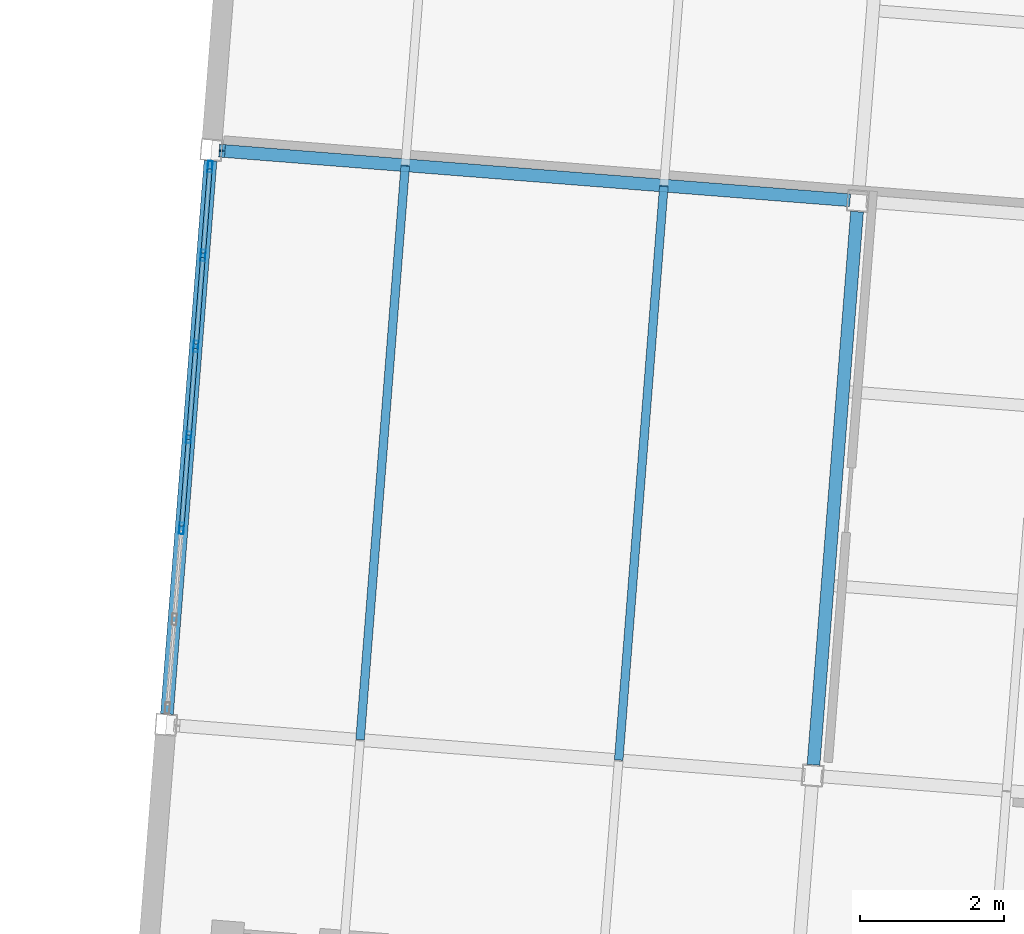
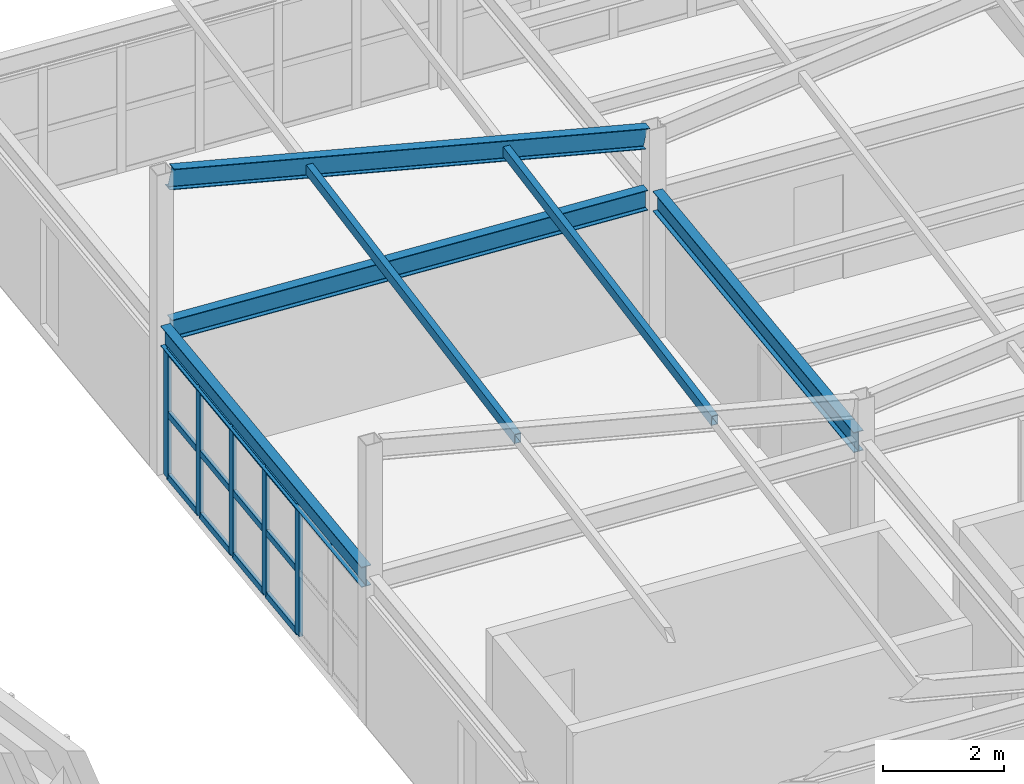
# One storey, part 44 of 127: 19 members, 4 beams, 1 element without a shape of its own.
"""IFC4 building model written with IfcOpenShell, lengths in metres."""

from ifc_helpers import new_model, si_unit, direction, frame, origin, origin_2d, place, context, subcontext, project, spatial, hollow_rectangle, i_section, extrude, material, material_profile, profile_set, type_object, element, aggregate, save


model = new_model("IFC4")

# Units and contexts
model_context = context("Model", 3, precision=1e-05, world=origin(), true_north=direction((0.0, 1.0)))
body_context = subcontext(model_context, "Body", "Model", "MODEL_VIEW")
ifc_project = project(units=[si_unit("LENGTHUNIT", "METRE"), si_unit("AREAUNIT", "SQUARE_METRE"), si_unit("VOLUMEUNIT", "CUBIC_METRE"), si_unit("PLANEANGLEUNIT", "RADIAN"), si_unit("MASSUNIT", "GRAM", prefix="KILO")], contexts=[model_context])

# Site, building, storey
site_placement = place(None, origin())
site = spatial("IfcSite", under=ifc_project, at=site_placement, CompositionType="ELEMENT")
building_placement = place(site_placement, origin())
building = spatial("IfcBuilding", under=site, at=building_placement, Name="Kestramere Prow Commons", CompositionType="ELEMENT")
storey_placement = place(building_placement, frame((0.0, 0.0, 8.39990234375)))
storey = spatial("IfcBuildingStorey", under=building, at=storey_placement, Name="L02", CompositionType="ELEMENT", Elevation=8.39990234375)

# Beams
ifc_material_1 = material(Name="Steel S355JR", Category="steel")
ifc_material_profile_1 = material_profile(ifc_material_1, i_section(OverallWidth=0.177978515625, OverallDepth=0.406494140625, WebThickness=0.0078125, FlangeThickness=0.0126953125, FilletRadius=0.01025390625, at=origin_2d()), Name="UB 406x178x60")
ifc_profile_set_1 = profile_set([ifc_material_profile_1], Name="Steel S355JR")
beam_type_1 = type_object("IfcBeamType", Name="BM-NR-01 UB 406x178x60", PredefinedType="BEAM", material=ifc_profile_set_1)
beam_1_placement = place(storey_placement, frame((70.0048828125, 101.43896484375, 2.796875), z_axis=(0.996917066238, -0.078462494502, 0.0), x_axis=(0.078462494502, 0.996917066238, 0.0)))
element("IfcBeam", 1, at=beam_1_placement, inside=storey, type_object=beam_type_1, Name="Nursery L02 Beam U 3-1", PredefinedType="BEAM", context=body_context, shape_type="SweptSolid", body=[
    extrude(i_section(OverallWidth=0.177978515625, OverallDepth=0.406494140625, WebThickness=0.0078125, FlangeThickness=0.0126953125, FilletRadius=0.01025390625, at=origin_2d()), origin(), (0.0, 0.0, 1.0), 8.699951171875),
])
beam_2_placement = place(storey_placement, frame((78.211669921875, 92.918701171875, 2.796875), z_axis=(0.078473620365, 0.996916190513, 0.0), x_axis=(-0.996916190513, 0.078473620365, 0.0)))
element("IfcBeam", 2, at=beam_2_placement, inside=storey, type_object=beam_type_1, Name="Nursery L02 Beam V 2-2", PredefinedType="BEAM", context=body_context, shape_type="SweptSolid", body=[
    extrude(i_section(OverallWidth=0.177978515625, OverallDepth=0.406494140625, WebThickness=0.0078125, FlangeThickness=0.0126953125, FilletRadius=0.01025390625, at=origin_2d()), origin(), (0.0, 0.0, 1.0), 7.699951171875),
])
beam_3_placement = place(storey_placement, frame((70.0048828125, 101.43896484375, 5.83349609375), z_axis=(0.976239954943, -0.076835099621, -0.20261272872), x_axis=(0.078462494502, 0.996917066238, 0.0)))
element("IfcBeam", 3, at=beam_3_placement, inside=storey, type_object=beam_type_1, Name="Nursery Butterfly Rafter 3-1", PredefinedType="BEAM", context=body_context, shape_type="SweptSolid", body=[
    extrude(i_section(OverallWidth=0.177978515625, OverallDepth=0.406494140625, WebThickness=0.0078125, FlangeThickness=0.0126953125, FilletRadius=0.01025390625, at=origin_2d()), origin(), (0.0, 0.0, 1.0), 8.88427734375),
])
ifc_material_profile_2 = material_profile(ifc_material_1, i_section(OverallWidth=0.177978515625, OverallDepth=0.406494140625, WebThickness=0.0078125, FlangeThickness=0.0126953125, FilletRadius=0.01025390625, at=origin_2d()), Name="UB 406x178x60")
ifc_profile_set_2 = profile_set([ifc_material_profile_2], Name="Steel S355JR")
beam_type_2 = type_object("IfcBeamType", Name="BM-NR-01 UB 406x178x60 (EX)", PredefinedType="BEAM", material=ifc_profile_set_2)
beam_4_placement = place(storey_placement, frame((69.239501953125, 93.624755859375, 2.796875), z_axis=(0.078442108986, 0.996918670473, 0.0), x_axis=(-0.996918670473, 0.078442108986, 0.0)))
element("IfcBeam", 4, at=beam_4_placement, inside=storey, type_object=beam_type_2, Name="Nursery L02 Beam V 1-2", PredefinedType="BEAM", context=body_context, shape_type="SweptSolid", body=[
    extrude(i_section(OverallWidth=0.177978515625, OverallDepth=0.406494140625, WebThickness=0.0078125, FlangeThickness=0.0126953125, FilletRadius=0.01025390625, at=origin_2d()), origin(), (0.0, 0.0, 1.0), 7.699951171875),
])

# Curtain wall, members
ifc_material_2 = material(Name="Anodised Aluminium and Low-E Glass", Category="aluminium")
curtain_wall_type = type_object("IfcCurtainWallType", Name="CW-18 Glazed Curtain Wall 7600x2580", PredefinedType="USERDEFINED", material=ifc_material_2)
curtain_wall_placement = place(storey_placement, origin())
curtain_wall = element("IfcCurtainWall", 5, at=curtain_wall_placement, inside=storey, type_object=curtain_wall_type, Name="Nursery L02 W End Glazing", ObjectType="GLAZED CURTAIN WALL", PredefinedType="USERDEFINED")
ifc_material_3 = material(Name="Anodised Aluminium 6063-T6", Category="aluminium")
ifc_material_profile_3 = material_profile(ifc_material_3, hollow_rectangle(XDim=0.06494140625, YDim=0.159912109375, WallThickness=0.00390625, at=origin_2d()), Name="ALU-MUL 65x160")
ifc_profile_set_3 = profile_set([ifc_material_profile_3], Name="Anodised Aluminium 6063-T6")
member_type_1 = type_object("IfcMemberType", Name="CW-MUL-65x160", PredefinedType="MULLION", material=ifc_profile_set_3)
member_1_placement = place(storey_placement, frame((69.442138671875, 96.2001953125, 0.0), z_axis=(0.0, 0.0, 1.0), x_axis=(-0.996917335259, 0.078459076345, 0.0)))
member_1 = element("IfcMember", 6, at=member_1_placement, type_object=member_type_1, Name="CW-18 mullion 3", PredefinedType="MULLION", context=body_context, shape_type="SweptSolid", body=[
    extrude(hollow_rectangle(XDim=0.06494140625, YDim=0.159912109375, WallThickness=0.00390625, at=origin_2d()), origin(), (0.0, 0.0, 1.0), 2.580078125),
])
member_2_placement = place(storey_placement, frame((69.54150390625, 97.462890625, 0.0), z_axis=(0.0, 0.0, 1.0), x_axis=(-0.996917335259, 0.078459076345, 0.0)))
member_2 = element("IfcMember", 7, at=member_2_placement, type_object=member_type_1, Name="CW-18 mullion 4", PredefinedType="MULLION", context=body_context, shape_type="SweptSolid", body=[
    extrude(hollow_rectangle(XDim=0.06494140625, YDim=0.159912109375, WallThickness=0.00390625, at=origin_2d()), origin(), (0.0, 0.0, 1.0), 2.580078125),
])
member_3_placement = place(storey_placement, frame((69.640869140625, 98.725830078125, 0.0), z_axis=(0.0, 0.0, 1.0), x_axis=(-0.996917335259, 0.078459076345, 0.0)))
member_3 = element("IfcMember", 8, at=member_3_placement, type_object=member_type_1, Name="CW-18 mullion 5", PredefinedType="MULLION", context=body_context, shape_type="SweptSolid", body=[
    extrude(hollow_rectangle(XDim=0.06494140625, YDim=0.159912109375, WallThickness=0.00390625, at=origin_2d()), origin(), (0.0, 0.0, 1.0), 2.580078125),
])
member_4_placement = place(storey_placement, frame((69.740234375, 99.988525390625, 0.0), z_axis=(0.0, 0.0, 1.0), x_axis=(-0.996917335259, 0.078459076345, 0.0)))
member_4 = element("IfcMember", 9, at=member_4_placement, type_object=member_type_1, Name="CW-18 mullion 6", PredefinedType="MULLION", context=body_context, shape_type="SweptSolid", body=[
    extrude(hollow_rectangle(XDim=0.06494140625, YDim=0.159912109375, WallThickness=0.00390625, at=origin_2d()), origin(), (0.0, 0.0, 1.0), 2.580078125),
])
member_5_placement = place(storey_placement, frame((69.837158203125, 101.218994140625, 0.0), z_axis=(0.0, 0.0, 1.0), x_axis=(-0.996917335259, 0.078459076345, 0.0)))
member_5 = element("IfcMember", 10, at=member_5_placement, type_object=member_type_1, Name="CW-18 mullion 7", PredefinedType="MULLION", context=body_context, shape_type="SweptSolid", body=[
    extrude(hollow_rectangle(XDim=0.06494140625, YDim=0.159912109375, WallThickness=0.00390625, at=origin_2d()), origin(), (0.0, 0.0, 1.0), 2.580078125),
])
ifc_material_profile_4 = material_profile(ifc_material_3, hollow_rectangle(XDim=0.06494140625, YDim=0.1298828125, WallThickness=0.00390625, at=origin_2d()), Name="ALU-TRN 65x130")
ifc_profile_set_4 = profile_set([ifc_material_profile_4], Name="Anodised Aluminium 6063-T6")
member_type_2 = type_object("IfcMemberType", Name="CW-TRN-65x130", PredefinedType="USERDEFINED", material=ifc_profile_set_4)
member_6_placement = place(storey_placement, frame((69.444580078125, 96.232666015625, 0.03271484375), z_axis=(0.078622787299, 0.996904437405, 0.0), x_axis=(-0.996904437405, 0.078622787299, 0.0)))
member_6 = element("IfcMember", 11, at=member_6_placement, type_object=member_type_2, Name="CW-18 transom 3.1", ObjectType="TRANSOM", PredefinedType="USERDEFINED", context=body_context, shape_type="SweptSolid", body=[
    extrude(hollow_rectangle(XDim=0.06494140625, YDim=0.1298828125, WallThickness=0.00390625, at=origin_2d()), origin(), (0.0, 0.0, 1.0), 1.20166015625),
])
member_7_placement = place(storey_placement, frame((69.444580078125, 96.232666015625, 1.2900390625), z_axis=(0.078622787299, 0.996904437405, 0.0), x_axis=(-0.996904437405, 0.078622787299, 0.0)))
member_7 = element("IfcMember", 12, at=member_7_placement, type_object=member_type_2, Name="CW-18 transom 3.2", ObjectType="TRANSOM", PredefinedType="USERDEFINED", context=body_context, shape_type="SweptSolid", body=[
    extrude(hollow_rectangle(XDim=0.06494140625, YDim=0.1298828125, WallThickness=0.00390625, at=origin_2d()), origin(), (0.0, 0.0, 1.0), 1.20166015625),
])
member_8_placement = place(storey_placement, frame((69.444580078125, 96.232666015625, 2.547607421875), z_axis=(0.078622787299, 0.996904437405, 0.0), x_axis=(-0.996904437405, 0.078622787299, 0.0)))
member_8 = element("IfcMember", 13, at=member_8_placement, type_object=member_type_2, Name="CW-18 transom 3.3", ObjectType="TRANSOM", PredefinedType="USERDEFINED", context=body_context, shape_type="SweptSolid", body=[
    extrude(hollow_rectangle(XDim=0.06494140625, YDim=0.1298828125, WallThickness=0.00390625, at=origin_2d()), origin(), (0.0, 0.0, 1.0), 1.20166015625),
])
member_9_placement = place(storey_placement, frame((69.5439453125, 97.495361328125, 0.03271484375), z_axis=(0.078622787299, 0.996904437405, 0.0), x_axis=(-0.996904437405, 0.078622787299, 0.0)))
member_9 = element("IfcMember", 14, at=member_9_placement, type_object=member_type_2, Name="CW-18 transom 4.1", ObjectType="TRANSOM", PredefinedType="USERDEFINED", context=body_context, shape_type="SweptSolid", body=[
    extrude(hollow_rectangle(XDim=0.06494140625, YDim=0.1298828125, WallThickness=0.00390625, at=origin_2d()), origin(), (0.0, 0.0, 1.0), 1.20166015625),
])
member_10_placement = place(storey_placement, frame((69.5439453125, 97.495361328125, 1.2900390625), z_axis=(0.078622787299, 0.996904437405, 0.0), x_axis=(-0.996904437405, 0.078622787299, 0.0)))
member_10 = element("IfcMember", 15, at=member_10_placement, type_object=member_type_2, Name="CW-18 transom 4.2", ObjectType="TRANSOM", PredefinedType="USERDEFINED", context=body_context, shape_type="SweptSolid", body=[
    extrude(hollow_rectangle(XDim=0.06494140625, YDim=0.1298828125, WallThickness=0.00390625, at=origin_2d()), origin(), (0.0, 0.0, 1.0), 1.20166015625),
])
member_11_placement = place(storey_placement, frame((69.5439453125, 97.495361328125, 2.547607421875), z_axis=(0.078622787299, 0.996904437405, 0.0), x_axis=(-0.996904437405, 0.078622787299, 0.0)))
member_11 = element("IfcMember", 16, at=member_11_placement, type_object=member_type_2, Name="CW-18 transom 4.3", ObjectType="TRANSOM", PredefinedType="USERDEFINED", context=body_context, shape_type="SweptSolid", body=[
    extrude(hollow_rectangle(XDim=0.06494140625, YDim=0.1298828125, WallThickness=0.00390625, at=origin_2d()), origin(), (0.0, 0.0, 1.0), 1.20166015625),
])
member_12_placement = place(storey_placement, frame((69.6435546875, 98.758056640625, 0.03271484375), z_axis=(0.078420878648, 0.996920340745, 0.0), x_axis=(-0.996920340745, 0.078420878648, 0.0)))
member_12 = element("IfcMember", 17, at=member_12_placement, type_object=member_type_2, Name="CW-18 transom 5.1", ObjectType="TRANSOM", PredefinedType="USERDEFINED", context=body_context, shape_type="SweptSolid", body=[
    extrude(hollow_rectangle(XDim=0.06494140625, YDim=0.1298828125, WallThickness=0.00390625, at=origin_2d()), origin(), (0.0, 0.0, 1.0), 1.20166015625),
])
member_13_placement = place(storey_placement, frame((69.6435546875, 98.758056640625, 1.2900390625), z_axis=(0.078420878648, 0.996920340745, 0.0), x_axis=(-0.996920340745, 0.078420878648, 0.0)))
member_13 = element("IfcMember", 18, at=member_13_placement, type_object=member_type_2, Name="CW-18 transom 5.2", ObjectType="TRANSOM", PredefinedType="USERDEFINED", context=body_context, shape_type="SweptSolid", body=[
    extrude(hollow_rectangle(XDim=0.06494140625, YDim=0.1298828125, WallThickness=0.00390625, at=origin_2d()), origin(), (0.0, 0.0, 1.0), 1.20166015625),
])
member_14_placement = place(storey_placement, frame((69.6435546875, 98.758056640625, 2.547607421875), z_axis=(0.078420878648, 0.996920340745, 0.0), x_axis=(-0.996920340745, 0.078420878648, 0.0)))
member_14 = element("IfcMember", 19, at=member_14_placement, type_object=member_type_2, Name="CW-18 transom 5.3", ObjectType="TRANSOM", PredefinedType="USERDEFINED", context=body_context, shape_type="SweptSolid", body=[
    extrude(hollow_rectangle(XDim=0.06494140625, YDim=0.1298828125, WallThickness=0.00390625, at=origin_2d()), origin(), (0.0, 0.0, 1.0), 1.20166015625),
])
member_15_placement = place(storey_placement, frame((69.742919921875, 100.02099609375, 0.03271484375), z_axis=(0.078309262245, 0.996929114555, 0.0), x_axis=(-0.996929114555, 0.078309262245, 0.0)))
member_15 = element("IfcMember", 20, at=member_15_placement, type_object=member_type_2, Name="CW-18 transom 6.1", ObjectType="TRANSOM", PredefinedType="USERDEFINED", context=body_context, shape_type="SweptSolid", body=[
    extrude(hollow_rectangle(XDim=0.06494140625, YDim=0.1298828125, WallThickness=0.00390625, at=origin_2d()), origin(), (0.0, 0.0, 1.0), 1.169189453125),
])
member_16_placement = place(storey_placement, frame((69.742919921875, 100.02099609375, 1.2900390625), z_axis=(0.078309262245, 0.996929114555, 0.0), x_axis=(-0.996929114555, 0.078309262245, 0.0)))
member_16 = element("IfcMember", 21, at=member_16_placement, type_object=member_type_2, Name="CW-18 transom 6.2", ObjectType="TRANSOM", PredefinedType="USERDEFINED", context=body_context, shape_type="SweptSolid", body=[
    extrude(hollow_rectangle(XDim=0.06494140625, YDim=0.1298828125, WallThickness=0.00390625, at=origin_2d()), origin(), (0.0, 0.0, 1.0), 1.169189453125),
])
member_17_placement = place(storey_placement, frame((69.742919921875, 100.02099609375, 2.547607421875), z_axis=(0.078309262245, 0.996929114555, 0.0), x_axis=(-0.996929114555, 0.078309262245, 0.0)))
member_17 = element("IfcMember", 22, at=member_17_placement, type_object=member_type_2, Name="CW-18 transom 6.3", ObjectType="TRANSOM", PredefinedType="USERDEFINED", context=body_context, shape_type="SweptSolid", body=[
    extrude(hollow_rectangle(XDim=0.06494140625, YDim=0.1298828125, WallThickness=0.00390625, at=origin_2d()), origin(), (0.0, 0.0, 1.0), 1.169189453125),
])
aggregate(curtain_wall, [member_1, member_2, member_3, member_4, member_5, member_6, member_7, member_8, member_9, member_10, member_11, member_12, member_13, member_14, member_15, member_16, member_17])

# Members
ifc_material_profile_5 = material_profile(ifc_material_1, hollow_rectangle(XDim=0.1201171875, YDim=0.199951171875, WallThickness=0.008056640625, at=origin_2d()), Name="RHS 200x120x8")
ifc_profile_set_5 = profile_set([ifc_material_profile_5], Name="Steel S355JR")
member_type_3 = type_object("IfcMemberType", Name="PUR-NR-01 RHS 200x120x8", PredefinedType="PURLIN", material=ifc_profile_set_5)
for number, where, z_axis, x_axis, name in (
    (23, (71.919921875, 93.271484375, 4.8505859375), (0.078374248355, 0.995774452398, 0.047861436934), (-0.996916934406, 0.078464169489, 0.0), "Nursery Roof Purlin 1-2-3"),
    (24, (75.5087890625, 92.989013671875, 4.130615234375), (0.078374248355, 0.995774452398, 0.047861436934), (-0.996916934406, 0.078464169489, 0.0), "Nursery Roof Purlin 1-2-7"),
):
    element("IfcMember", number, at=place(storey_placement, frame(where, z_axis=z_axis, x_axis=x_axis)), inside=storey, type_object=member_type_3, Name=name, PredefinedType="PURLIN", context=body_context, shape_type="SweptSolid", body=[
        extrude(hollow_rectangle(XDim=0.1201171875, YDim=0.199951171875, WallThickness=0.008056640625, at=origin_2d()), origin(), (0.0, 0.0, 1.0), 7.9931640625),
    ])

save(model, "model.ifc")
